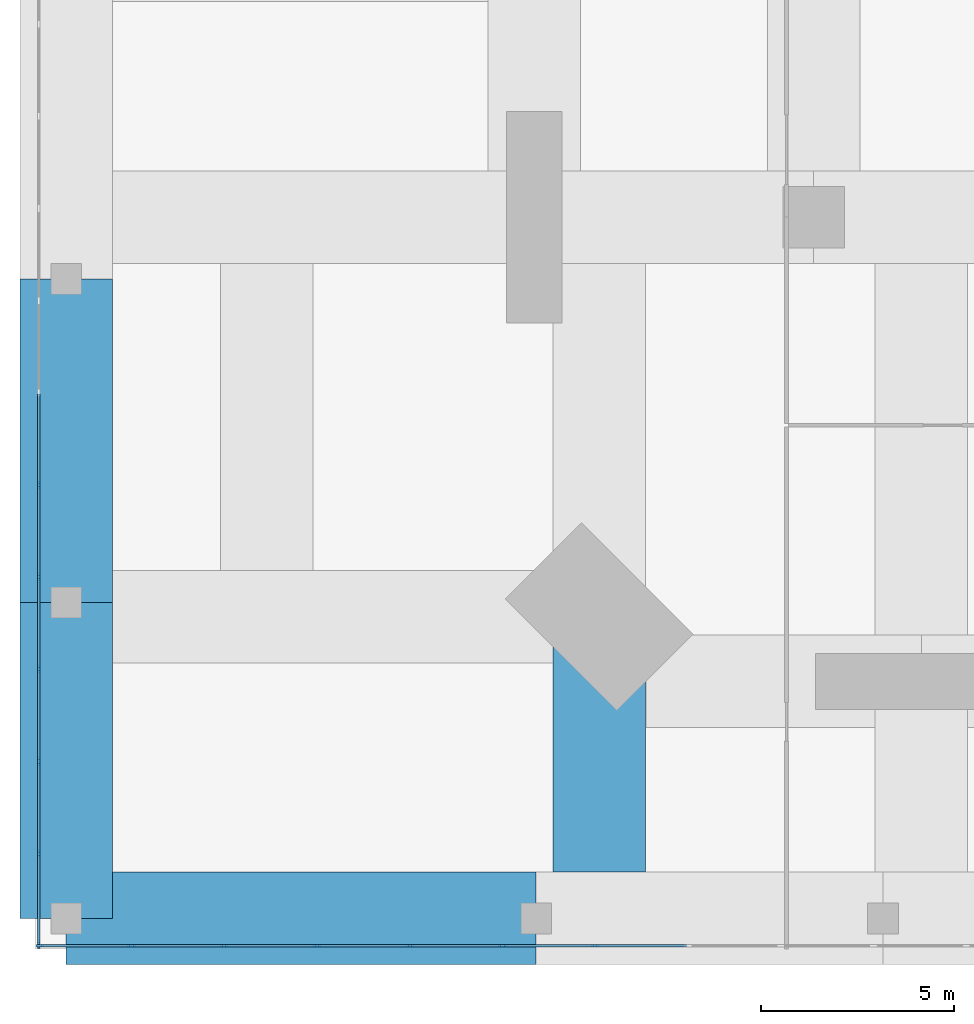
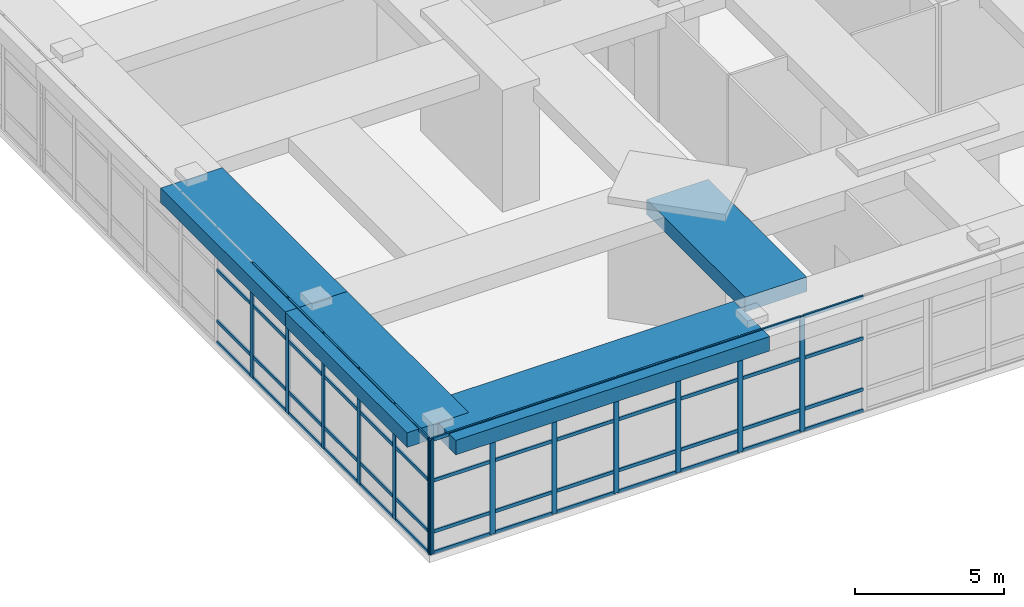
# One storey, part 2 of 22: 64 members, 4 beams, 2 elements without a shape of their own.
"""IFC4 building model written with IfcOpenShell, lengths in metres."""

from ifc_helpers import new_model, si_unit, direction, frame, origin, origin_2d, place, context, subcontext, project, spatial, rectangle, extrude, material, material_profile, profile_set, type_object, element, aggregate, save


model = new_model("IFC4")

# Units and contexts
model_context = context("Model", 3, precision=1e-05, world=origin(), true_north=direction((0.0, 1.0)))
body_context = subcontext(model_context, "Body", "Model", "MODEL_VIEW")
ifc_project = project(units=[si_unit("LENGTHUNIT", "METRE"), si_unit("AREAUNIT", "SQUARE_METRE"), si_unit("VOLUMEUNIT", "CUBIC_METRE"), si_unit("PLANEANGLEUNIT", "RADIAN"), si_unit("MASSUNIT", "GRAM", prefix="KILO")], contexts=[model_context])

# Site, building, storey
site_placement = place(None, origin())
site = spatial("IfcSite", under=ifc_project, at=site_placement, CompositionType="ELEMENT")
building_placement = place(site_placement, origin())
building = spatial("IfcBuilding", under=site, at=building_placement, Name="Jalousie Tower", CompositionType="ELEMENT")
storey_placement = place(building_placement, frame((0.0, 0.0, 6.0)))
storey = spatial("IfcBuildingStorey", under=building, at=storey_placement, Name="L01", CompositionType="ELEMENT", Elevation=6.0)

# Curtain wall, members
ifc_material_1 = material(Name="Aluminium curtain wall", Category="aluminium")
curtain_wall_type = type_object("IfcCurtainWallType", Name="PODIUM WINDOW WALL", PredefinedType="USERDEFINED", material=ifc_material_1)
curtain_wall_1_placement = place(storey_placement, origin())
curtain_wall_1 = element("IfcCurtainWall", 1, at=curtain_wall_1_placement, inside=storey, type_object=curtain_wall_type, Name="Podium Window Wall L01 1", ObjectType="PODIUM WINDOW WALL", PredefinedType="USERDEFINED")
ifc_material_2 = material(Name="Aluminium mullion", Category="aluminium")
ifc_material_profile_1 = material_profile(ifc_material_2, rectangle(XDim=0.070068359375, YDim=0.199951171875, at=origin_2d()), Name="MULLION 70x200")
ifc_profile_set_1 = profile_set([ifc_material_profile_1], Name="Aluminium mullion")
member_type_1 = type_object("IfcMemberType", Name="PODIUM WINDOW WALL MULLION", PredefinedType="MULLION", material=ifc_profile_set_1)
member_1_placement = place(storey_placement, frame((-9.87744140625, -5.91259765625, 0.0), z_axis=(0.0, 0.0, 1.0), x_axis=(0.0, 1.0, 0.0)))
member_1 = element("IfcMember", 2, at=member_1_placement, type_object=member_type_1, Name="CW-P mullion 1", PredefinedType="MULLION", context=body_context, shape_type="SweptSolid", body=[
    extrude(rectangle(XDim=0.070068359375, YDim=0.199951171875, at=origin_2d()), origin(), (0.0, 0.0, 1.0), 4.719970703125),
])
member_2_placement = place(storey_placement, frame((-7.504638671875, -5.91259765625, 0.0), z_axis=(0.0, 0.0, 1.0), x_axis=(0.0, 1.0, 0.0)))
member_2 = element("IfcMember", 3, at=member_2_placement, type_object=member_type_1, Name="CW-P mullion 2", PredefinedType="MULLION", context=body_context, shape_type="SweptSolid", body=[
    extrude(rectangle(XDim=0.070068359375, YDim=0.199951171875, at=origin_2d()), origin(), (0.0, 0.0, 1.0), 4.719970703125),
])
member_3_placement = place(storey_placement, frame((-5.096923828125, -5.91259765625, 0.0), z_axis=(0.0, 0.0, 1.0), x_axis=(0.0, 1.0, 0.0)))
member_3 = element("IfcMember", 4, at=member_3_placement, type_object=member_type_1, Name="CW-P mullion 3", PredefinedType="MULLION", context=body_context, shape_type="SweptSolid", body=[
    extrude(rectangle(XDim=0.070068359375, YDim=0.199951171875, at=origin_2d()), origin(), (0.0, 0.0, 1.0), 4.719970703125),
])
member_4_placement = place(storey_placement, frame((-2.689208984375, -5.91259765625, 0.0), z_axis=(0.0, 0.0, 1.0), x_axis=(0.0, 1.0, 0.0)))
member_4 = element("IfcMember", 5, at=member_4_placement, type_object=member_type_1, Name="CW-P mullion 4", PredefinedType="MULLION", context=body_context, shape_type="SweptSolid", body=[
    extrude(rectangle(XDim=0.070068359375, YDim=0.199951171875, at=origin_2d()), origin(), (0.0, 0.0, 1.0), 4.719970703125),
])
member_5_placement = place(storey_placement, frame((-0.281494140625, -5.91259765625, 0.0), z_axis=(0.0, 0.0, 1.0), x_axis=(0.0, 1.0, 0.0)))
member_5 = element("IfcMember", 6, at=member_5_placement, type_object=member_type_1, Name="CW-P mullion 5", PredefinedType="MULLION", context=body_context, shape_type="SweptSolid", body=[
    extrude(rectangle(XDim=0.070068359375, YDim=0.199951171875, at=origin_2d()), origin(), (0.0, 0.0, 1.0), 4.719970703125),
])
member_6_placement = place(storey_placement, frame((2.126220703125, -5.91259765625, 0.0), z_axis=(0.0, 0.0, 1.0), x_axis=(0.0, 1.0, 0.0)))
member_6 = element("IfcMember", 7, at=member_6_placement, type_object=member_type_1, Name="CW-P mullion 6", PredefinedType="MULLION", context=body_context, shape_type="SweptSolid", body=[
    extrude(rectangle(XDim=0.070068359375, YDim=0.199951171875, at=origin_2d()), origin(), (0.0, 0.0, 1.0), 4.719970703125),
])
member_7_placement = place(storey_placement, frame((4.533935546875, -5.91259765625, 0.0), z_axis=(0.0, 0.0, 1.0), x_axis=(0.0, 1.0, 0.0)))
member_7 = element("IfcMember", 8, at=member_7_placement, type_object=member_type_1, Name="CW-P mullion 7", PredefinedType="MULLION", context=body_context, shape_type="SweptSolid", body=[
    extrude(rectangle(XDim=0.070068359375, YDim=0.199951171875, at=origin_2d()), origin(), (0.0, 0.0, 1.0), 4.719970703125),
])

curtain_wall_2_placement = place(storey_placement, origin())
curtain_wall_2 = element("IfcCurtainWall", 9, at=curtain_wall_2_placement, inside=storey, type_object=curtain_wall_type, Name="Podium Window Wall L01 33", ObjectType="PODIUM WINDOW WALL", PredefinedType="USERDEFINED")
member_8_placement = place(storey_placement, frame((-9.91259765625, 6.04931640625, 0.0), z_axis=(0.0, 0.0, 1.0), x_axis=(1.0, 0.0, 0.0)))
member_8 = element("IfcMember", 10, at=member_8_placement, type_object=member_type_1, Name="CW-P mullion 14", PredefinedType="MULLION", context=body_context, shape_type="SweptSolid", body=[
    extrude(rectangle(XDim=0.070068359375, YDim=0.199951171875, at=origin_2d()), origin(), (0.0, 0.0, 1.0), 4.719970703125),
])
member_9_placement = place(storey_placement, frame((-9.91259765625, 3.656982421875, 0.0), z_axis=(0.0, 0.0, 1.0), x_axis=(1.0, 0.0, 0.0)))
member_9 = element("IfcMember", 11, at=member_9_placement, type_object=member_type_1, Name="CW-P mullion 15", PredefinedType="MULLION", context=body_context, shape_type="SweptSolid", body=[
    extrude(rectangle(XDim=0.070068359375, YDim=0.199951171875, at=origin_2d()), origin(), (0.0, 0.0, 1.0), 4.719970703125),
])
member_10_placement = place(storey_placement, frame((-9.91259765625, 1.2646484375, 0.0), z_axis=(0.0, 0.0, 1.0), x_axis=(1.0, 0.0, 0.0)))
member_10 = element("IfcMember", 12, at=member_10_placement, type_object=member_type_1, Name="CW-P mullion 16", PredefinedType="MULLION", context=body_context, shape_type="SweptSolid", body=[
    extrude(rectangle(XDim=0.070068359375, YDim=0.199951171875, at=origin_2d()), origin(), (0.0, 0.0, 1.0), 4.719970703125),
])
member_11_placement = place(storey_placement, frame((-9.91259765625, -1.127685546875, 0.0), z_axis=(0.0, 0.0, 1.0), x_axis=(1.0, 0.0, 0.0)))
member_11 = element("IfcMember", 13, at=member_11_placement, type_object=member_type_1, Name="CW-P mullion 17", PredefinedType="MULLION", context=body_context, shape_type="SweptSolid", body=[
    extrude(rectangle(XDim=0.070068359375, YDim=0.199951171875, at=origin_2d()), origin(), (0.0, 0.0, 1.0), 4.719970703125),
])
member_12_placement = place(storey_placement, frame((-9.91259765625, -3.52001953125, 0.0), z_axis=(0.0, 0.0, 1.0), x_axis=(1.0, 0.0, 0.0)))
member_12 = element("IfcMember", 14, at=member_12_placement, type_object=member_type_1, Name="CW-P mullion 18", PredefinedType="MULLION", context=body_context, shape_type="SweptSolid", body=[
    extrude(rectangle(XDim=0.070068359375, YDim=0.199951171875, at=origin_2d()), origin(), (0.0, 0.0, 1.0), 4.719970703125),
])
member_13_placement = place(storey_placement, frame((-9.91259765625, -5.87744140625, 0.0), z_axis=(0.0, 0.0, 1.0), x_axis=(1.0, 0.0, 0.0)))
member_13 = element("IfcMember", 15, at=member_13_placement, type_object=member_type_1, Name="CW-P mullion 19", PredefinedType="MULLION", context=body_context, shape_type="SweptSolid", body=[
    extrude(rectangle(XDim=0.070068359375, YDim=0.199951171875, at=origin_2d()), origin(), (0.0, 0.0, 1.0), 4.719970703125),
])

# Member
ifc_material_3 = material(Name="Aluminium transom", Category="aluminium")
ifc_material_profile_2 = material_profile(ifc_material_3, rectangle(XDim=0.070068359375, YDim=0.139892578125, at=origin_2d()), Name="TRANSOM 70x140")
ifc_profile_set_2 = profile_set([ifc_material_profile_2], Name="Aluminium transom")
member_type_2 = type_object("IfcMemberType", Name="PODIUM WINDOW WALL TRANSOM", PredefinedType="USERDEFINED", material=ifc_profile_set_2)
member_14_placement = place(storey_placement, frame((-9.842529296875, -5.91259765625, 0.034912109375), z_axis=(1.0, 0.0, 0.0), x_axis=(0.0, 1.0, 0.0)))
member_14 = element("IfcMember", 16, at=member_14_placement, type_object=member_type_2, Name="CW-P transom 1.1", ObjectType="TRANSOM", PredefinedType="USERDEFINED", context=body_context, shape_type="SweptSolid", body=[
    extrude(rectangle(XDim=0.070068359375, YDim=0.139892578125, at=origin_2d()), origin(), (0.0, 0.0, 1.0), 2.302734375),
])

member_15_placement = place(storey_placement, frame((-9.842529296875, -5.91259765625, 0.89990234375), z_axis=(1.0, 0.0, 0.0), x_axis=(0.0, 1.0, 0.0)))
member_15 = element("IfcMember", 17, at=member_15_placement, type_object=member_type_2, Name="CW-P transom 1.2", ObjectType="TRANSOM", PredefinedType="USERDEFINED", context=body_context, shape_type="SweptSolid", body=[
    extrude(rectangle(XDim=0.070068359375, YDim=0.139892578125, at=origin_2d()), origin(), (0.0, 0.0, 1.0), 2.302734375),
])

member_16_placement = place(storey_placement, frame((-9.842529296875, -5.91259765625, 3.0), z_axis=(1.0, 0.0, 0.0), x_axis=(0.0, 1.0, 0.0)))
member_16 = element("IfcMember", 18, at=member_16_placement, type_object=member_type_2, Name="CW-P transom 1.3", ObjectType="TRANSOM", PredefinedType="USERDEFINED", context=body_context, shape_type="SweptSolid", body=[
    extrude(rectangle(XDim=0.070068359375, YDim=0.139892578125, at=origin_2d()), origin(), (0.0, 0.0, 1.0), 2.302734375),
])

member_17_placement = place(storey_placement, frame((-9.842529296875, -5.91259765625, 4.68505859375), z_axis=(1.0, 0.0, 0.0), x_axis=(0.0, 1.0, 0.0)))
member_17 = element("IfcMember", 19, at=member_17_placement, type_object=member_type_2, Name="CW-P transom 1.4", ObjectType="TRANSOM", PredefinedType="USERDEFINED", context=body_context, shape_type="SweptSolid", body=[
    extrude(rectangle(XDim=0.070068359375, YDim=0.139892578125, at=origin_2d()), origin(), (0.0, 0.0, 1.0), 2.302734375),
])

member_18_placement = place(storey_placement, frame((-7.4697265625, -5.91259765625, 0.034912109375), z_axis=(1.0, 0.0, 0.0), x_axis=(0.0, 1.0, 0.0)))
member_18 = element("IfcMember", 20, at=member_18_placement, type_object=member_type_2, Name="CW-P transom 2.1", ObjectType="TRANSOM", PredefinedType="USERDEFINED", context=body_context, shape_type="SweptSolid", body=[
    extrude(rectangle(XDim=0.070068359375, YDim=0.139892578125, at=origin_2d()), origin(), (0.0, 0.0, 1.0), 2.337646484375),
])

member_19_placement = place(storey_placement, frame((-7.4697265625, -5.91259765625, 0.89990234375), z_axis=(1.0, 0.0, 0.0), x_axis=(0.0, 1.0, 0.0)))
member_19 = element("IfcMember", 21, at=member_19_placement, type_object=member_type_2, Name="CW-P transom 2.2", ObjectType="TRANSOM", PredefinedType="USERDEFINED", context=body_context, shape_type="SweptSolid", body=[
    extrude(rectangle(XDim=0.070068359375, YDim=0.139892578125, at=origin_2d()), origin(), (0.0, 0.0, 1.0), 2.337646484375),
])

member_20_placement = place(storey_placement, frame((-7.4697265625, -5.91259765625, 3.0), z_axis=(1.0, 0.0, 0.0), x_axis=(0.0, 1.0, 0.0)))
member_20 = element("IfcMember", 22, at=member_20_placement, type_object=member_type_2, Name="CW-P transom 2.3", ObjectType="TRANSOM", PredefinedType="USERDEFINED", context=body_context, shape_type="SweptSolid", body=[
    extrude(rectangle(XDim=0.070068359375, YDim=0.139892578125, at=origin_2d()), origin(), (0.0, 0.0, 1.0), 2.337646484375),
])

member_21_placement = place(storey_placement, frame((-7.4697265625, -5.91259765625, 4.68505859375), z_axis=(1.0, 0.0, 0.0), x_axis=(0.0, 1.0, 0.0)))
member_21 = element("IfcMember", 23, at=member_21_placement, type_object=member_type_2, Name="CW-P transom 2.4", ObjectType="TRANSOM", PredefinedType="USERDEFINED", context=body_context, shape_type="SweptSolid", body=[
    extrude(rectangle(XDim=0.070068359375, YDim=0.139892578125, at=origin_2d()), origin(), (0.0, 0.0, 1.0), 2.337646484375),
])

member_22_placement = place(storey_placement, frame((-5.06201171875, -5.91259765625, 0.034912109375), z_axis=(1.0, 0.0, 0.0), x_axis=(0.0, 1.0, 0.0)))
member_22 = element("IfcMember", 24, at=member_22_placement, type_object=member_type_2, Name="CW-P transom 3.1", ObjectType="TRANSOM", PredefinedType="USERDEFINED", context=body_context, shape_type="SweptSolid", body=[
    extrude(rectangle(XDim=0.070068359375, YDim=0.139892578125, at=origin_2d()), origin(), (0.0, 0.0, 1.0), 2.337890625),
])

member_23_placement = place(storey_placement, frame((-5.06201171875, -5.91259765625, 0.89990234375), z_axis=(1.0, 0.0, 0.0), x_axis=(0.0, 1.0, 0.0)))
member_23 = element("IfcMember", 25, at=member_23_placement, type_object=member_type_2, Name="CW-P transom 3.2", ObjectType="TRANSOM", PredefinedType="USERDEFINED", context=body_context, shape_type="SweptSolid", body=[
    extrude(rectangle(XDim=0.070068359375, YDim=0.139892578125, at=origin_2d()), origin(), (0.0, 0.0, 1.0), 2.337890625),
])

member_24_placement = place(storey_placement, frame((-5.06201171875, -5.91259765625, 3.0), z_axis=(1.0, 0.0, 0.0), x_axis=(0.0, 1.0, 0.0)))
member_24 = element("IfcMember", 26, at=member_24_placement, type_object=member_type_2, Name="CW-P transom 3.3", ObjectType="TRANSOM", PredefinedType="USERDEFINED", context=body_context, shape_type="SweptSolid", body=[
    extrude(rectangle(XDim=0.070068359375, YDim=0.139892578125, at=origin_2d()), origin(), (0.0, 0.0, 1.0), 2.337890625),
])

member_25_placement = place(storey_placement, frame((-5.06201171875, -5.91259765625, 4.68505859375), z_axis=(1.0, 0.0, 0.0), x_axis=(0.0, 1.0, 0.0)))
member_25 = element("IfcMember", 27, at=member_25_placement, type_object=member_type_2, Name="CW-P transom 3.4", ObjectType="TRANSOM", PredefinedType="USERDEFINED", context=body_context, shape_type="SweptSolid", body=[
    extrude(rectangle(XDim=0.070068359375, YDim=0.139892578125, at=origin_2d()), origin(), (0.0, 0.0, 1.0), 2.337890625),
])

member_26_placement = place(storey_placement, frame((-2.654296875, -5.91259765625, 0.034912109375), z_axis=(1.0, 0.0, 0.0), x_axis=(0.0, 1.0, 0.0)))
member_26 = element("IfcMember", 28, at=member_26_placement, type_object=member_type_2, Name="CW-P transom 4.1", ObjectType="TRANSOM", PredefinedType="USERDEFINED", context=body_context, shape_type="SweptSolid", body=[
    extrude(rectangle(XDim=0.070068359375, YDim=0.139892578125, at=origin_2d()), origin(), (0.0, 0.0, 1.0), 2.337890625),
])

member_27_placement = place(storey_placement, frame((-2.654296875, -5.91259765625, 0.89990234375), z_axis=(1.0, 0.0, 0.0), x_axis=(0.0, 1.0, 0.0)))
member_27 = element("IfcMember", 29, at=member_27_placement, type_object=member_type_2, Name="CW-P transom 4.2", ObjectType="TRANSOM", PredefinedType="USERDEFINED", context=body_context, shape_type="SweptSolid", body=[
    extrude(rectangle(XDim=0.070068359375, YDim=0.139892578125, at=origin_2d()), origin(), (0.0, 0.0, 1.0), 2.337890625),
])

member_28_placement = place(storey_placement, frame((-2.654296875, -5.91259765625, 3.0), z_axis=(1.0, 0.0, 0.0), x_axis=(0.0, 1.0, 0.0)))
member_28 = element("IfcMember", 30, at=member_28_placement, type_object=member_type_2, Name="CW-P transom 4.3", ObjectType="TRANSOM", PredefinedType="USERDEFINED", context=body_context, shape_type="SweptSolid", body=[
    extrude(rectangle(XDim=0.070068359375, YDim=0.139892578125, at=origin_2d()), origin(), (0.0, 0.0, 1.0), 2.337890625),
])

member_29_placement = place(storey_placement, frame((-2.654296875, -5.91259765625, 4.68505859375), z_axis=(1.0, 0.0, 0.0), x_axis=(0.0, 1.0, 0.0)))
member_29 = element("IfcMember", 31, at=member_29_placement, type_object=member_type_2, Name="CW-P transom 4.4", ObjectType="TRANSOM", PredefinedType="USERDEFINED", context=body_context, shape_type="SweptSolid", body=[
    extrude(rectangle(XDim=0.070068359375, YDim=0.139892578125, at=origin_2d()), origin(), (0.0, 0.0, 1.0), 2.337890625),
])

member_30_placement = place(storey_placement, frame((-0.24658203125, -5.91259765625, 0.034912109375), z_axis=(1.0, 0.0, 0.0), x_axis=(0.0, 1.0, 0.0)))
member_30 = element("IfcMember", 32, at=member_30_placement, type_object=member_type_2, Name="CW-P transom 5.1", ObjectType="TRANSOM", PredefinedType="USERDEFINED", context=body_context, shape_type="SweptSolid", body=[
    extrude(rectangle(XDim=0.070068359375, YDim=0.139892578125, at=origin_2d()), origin(), (0.0, 0.0, 1.0), 2.337890625),
])

member_31_placement = place(storey_placement, frame((-0.24658203125, -5.91259765625, 0.89990234375), z_axis=(1.0, 0.0, 0.0), x_axis=(0.0, 1.0, 0.0)))
member_31 = element("IfcMember", 33, at=member_31_placement, type_object=member_type_2, Name="CW-P transom 5.2", ObjectType="TRANSOM", PredefinedType="USERDEFINED", context=body_context, shape_type="SweptSolid", body=[
    extrude(rectangle(XDim=0.070068359375, YDim=0.139892578125, at=origin_2d()), origin(), (0.0, 0.0, 1.0), 2.337890625),
])

member_32_placement = place(storey_placement, frame((-0.24658203125, -5.91259765625, 3.0), z_axis=(1.0, 0.0, 0.0), x_axis=(0.0, 1.0, 0.0)))
member_32 = element("IfcMember", 34, at=member_32_placement, type_object=member_type_2, Name="CW-P transom 5.3", ObjectType="TRANSOM", PredefinedType="USERDEFINED", context=body_context, shape_type="SweptSolid", body=[
    extrude(rectangle(XDim=0.070068359375, YDim=0.139892578125, at=origin_2d()), origin(), (0.0, 0.0, 1.0), 2.337890625),
])

member_33_placement = place(storey_placement, frame((-0.24658203125, -5.91259765625, 4.68505859375), z_axis=(1.0, 0.0, 0.0), x_axis=(0.0, 1.0, 0.0)))
member_33 = element("IfcMember", 35, at=member_33_placement, type_object=member_type_2, Name="CW-P transom 5.4", ObjectType="TRANSOM", PredefinedType="USERDEFINED", context=body_context, shape_type="SweptSolid", body=[
    extrude(rectangle(XDim=0.070068359375, YDim=0.139892578125, at=origin_2d()), origin(), (0.0, 0.0, 1.0), 2.337890625),
])

member_34_placement = place(storey_placement, frame((2.161376953125, -5.91259765625, 0.034912109375), z_axis=(1.0, 0.0, 0.0), x_axis=(0.0, 1.0, 0.0)))
member_34 = element("IfcMember", 36, at=member_34_placement, type_object=member_type_2, Name="CW-P transom 6.1", ObjectType="TRANSOM", PredefinedType="USERDEFINED", context=body_context, shape_type="SweptSolid", body=[
    extrude(rectangle(XDim=0.070068359375, YDim=0.139892578125, at=origin_2d()), origin(), (0.0, 0.0, 1.0), 2.337646484375),
])

member_35_placement = place(storey_placement, frame((2.161376953125, -5.91259765625, 0.89990234375), z_axis=(1.0, 0.0, 0.0), x_axis=(0.0, 1.0, 0.0)))
member_35 = element("IfcMember", 37, at=member_35_placement, type_object=member_type_2, Name="CW-P transom 6.2", ObjectType="TRANSOM", PredefinedType="USERDEFINED", context=body_context, shape_type="SweptSolid", body=[
    extrude(rectangle(XDim=0.070068359375, YDim=0.139892578125, at=origin_2d()), origin(), (0.0, 0.0, 1.0), 2.337646484375),
])

member_36_placement = place(storey_placement, frame((2.161376953125, -5.91259765625, 3.0), z_axis=(1.0, 0.0, 0.0), x_axis=(0.0, 1.0, 0.0)))
member_36 = element("IfcMember", 38, at=member_36_placement, type_object=member_type_2, Name="CW-P transom 6.3", ObjectType="TRANSOM", PredefinedType="USERDEFINED", context=body_context, shape_type="SweptSolid", body=[
    extrude(rectangle(XDim=0.070068359375, YDim=0.139892578125, at=origin_2d()), origin(), (0.0, 0.0, 1.0), 2.337646484375),
])

member_37_placement = place(storey_placement, frame((2.161376953125, -5.91259765625, 4.68505859375), z_axis=(1.0, 0.0, 0.0), x_axis=(0.0, 1.0, 0.0)))
member_37 = element("IfcMember", 39, at=member_37_placement, type_object=member_type_2, Name="CW-P transom 6.4", ObjectType="TRANSOM", PredefinedType="USERDEFINED", context=body_context, shape_type="SweptSolid", body=[
    extrude(rectangle(XDim=0.070068359375, YDim=0.139892578125, at=origin_2d()), origin(), (0.0, 0.0, 1.0), 2.337646484375),
])

member_38_placement = place(storey_placement, frame((4.569091796875, -5.91259765625, 0.034912109375), z_axis=(1.0, 0.0, 0.0), x_axis=(0.0, 1.0, 0.0)))
member_38 = element("IfcMember", 40, at=member_38_placement, type_object=member_type_2, Name="CW-P transom 7.1", ObjectType="TRANSOM", PredefinedType="USERDEFINED", context=body_context, shape_type="SweptSolid", body=[
    extrude(rectangle(XDim=0.070068359375, YDim=0.139892578125, at=origin_2d()), origin(), (0.0, 0.0, 1.0), 2.337646484375),
])

member_39_placement = place(storey_placement, frame((4.569091796875, -5.91259765625, 0.89990234375), z_axis=(1.0, 0.0, 0.0), x_axis=(0.0, 1.0, 0.0)))
member_39 = element("IfcMember", 41, at=member_39_placement, type_object=member_type_2, Name="CW-P transom 7.2", ObjectType="TRANSOM", PredefinedType="USERDEFINED", context=body_context, shape_type="SweptSolid", body=[
    extrude(rectangle(XDim=0.070068359375, YDim=0.139892578125, at=origin_2d()), origin(), (0.0, 0.0, 1.0), 2.337646484375),
])

member_40_placement = place(storey_placement, frame((4.569091796875, -5.91259765625, 3.0), z_axis=(1.0, 0.0, 0.0), x_axis=(0.0, 1.0, 0.0)))
member_40 = element("IfcMember", 42, at=member_40_placement, type_object=member_type_2, Name="CW-P transom 7.3", ObjectType="TRANSOM", PredefinedType="USERDEFINED", context=body_context, shape_type="SweptSolid", body=[
    extrude(rectangle(XDim=0.070068359375, YDim=0.139892578125, at=origin_2d()), origin(), (0.0, 0.0, 1.0), 2.337646484375),
])

member_41_placement = place(storey_placement, frame((4.569091796875, -5.91259765625, 4.68505859375), z_axis=(1.0, 0.0, 0.0), x_axis=(0.0, 1.0, 0.0)))
member_41 = element("IfcMember", 43, at=member_41_placement, type_object=member_type_2, Name="CW-P transom 7.4", ObjectType="TRANSOM", PredefinedType="USERDEFINED", context=body_context, shape_type="SweptSolid", body=[
    extrude(rectangle(XDim=0.070068359375, YDim=0.139892578125, at=origin_2d()), origin(), (0.0, 0.0, 1.0), 2.337646484375),
])

aggregate(curtain_wall_1, [member_1, member_2, member_3, member_4, member_5, member_6, member_7, member_14, member_15, member_16, member_17, member_18, member_19, member_20, member_21, member_22, member_23, member_24, member_25, member_26, member_27, member_28, member_29, member_30, member_31, member_32, member_33, member_34, member_35, member_36, member_37, member_38, member_39, member_40, member_41])

member_42_placement = place(storey_placement, frame((-9.91259765625, 8.40673828125, 0.034912109375), z_axis=(0.0, -1.0, 0.0), x_axis=(1.0, 0.0, 0.0)))
member_42 = element("IfcMember", 44, at=member_42_placement, type_object=member_type_2, Name="CW-P transom 13.1", ObjectType="TRANSOM", PredefinedType="USERDEFINED", context=body_context, shape_type="SweptSolid", body=[
    extrude(rectangle(XDim=0.070068359375, YDim=0.139892578125, at=origin_2d()), origin(), (0.0, 0.0, 1.0), 2.322509765625),
])

member_43_placement = place(storey_placement, frame((-9.91259765625, 8.40673828125, 0.89990234375), z_axis=(0.0, -1.0, 0.0), x_axis=(1.0, 0.0, 0.0)))
member_43 = element("IfcMember", 45, at=member_43_placement, type_object=member_type_2, Name="CW-P transom 13.2", ObjectType="TRANSOM", PredefinedType="USERDEFINED", context=body_context, shape_type="SweptSolid", body=[
    extrude(rectangle(XDim=0.070068359375, YDim=0.139892578125, at=origin_2d()), origin(), (0.0, 0.0, 1.0), 2.322509765625),
])

member_44_placement = place(storey_placement, frame((-9.91259765625, 8.40673828125, 3.0), z_axis=(0.0, -1.0, 0.0), x_axis=(1.0, 0.0, 0.0)))
member_44 = element("IfcMember", 46, at=member_44_placement, type_object=member_type_2, Name="CW-P transom 13.3", ObjectType="TRANSOM", PredefinedType="USERDEFINED", context=body_context, shape_type="SweptSolid", body=[
    extrude(rectangle(XDim=0.070068359375, YDim=0.139892578125, at=origin_2d()), origin(), (0.0, 0.0, 1.0), 2.322509765625),
])

member_45_placement = place(storey_placement, frame((-9.91259765625, 6.014404296875, 0.034912109375), z_axis=(0.0, -1.0, 0.0), x_axis=(1.0, 0.0, 0.0)))
member_45 = element("IfcMember", 47, at=member_45_placement, type_object=member_type_2, Name="CW-P transom 14.1", ObjectType="TRANSOM", PredefinedType="USERDEFINED", context=body_context, shape_type="SweptSolid", body=[
    extrude(rectangle(XDim=0.070068359375, YDim=0.139892578125, at=origin_2d()), origin(), (0.0, 0.0, 1.0), 2.322509765625),
])

member_46_placement = place(storey_placement, frame((-9.91259765625, 6.014404296875, 0.89990234375), z_axis=(0.0, -1.0, 0.0), x_axis=(1.0, 0.0, 0.0)))
member_46 = element("IfcMember", 48, at=member_46_placement, type_object=member_type_2, Name="CW-P transom 14.2", ObjectType="TRANSOM", PredefinedType="USERDEFINED", context=body_context, shape_type="SweptSolid", body=[
    extrude(rectangle(XDim=0.070068359375, YDim=0.139892578125, at=origin_2d()), origin(), (0.0, 0.0, 1.0), 2.322509765625),
])

member_47_placement = place(storey_placement, frame((-9.91259765625, 6.014404296875, 3.0), z_axis=(0.0, -1.0, 0.0), x_axis=(1.0, 0.0, 0.0)))
member_47 = element("IfcMember", 49, at=member_47_placement, type_object=member_type_2, Name="CW-P transom 14.3", ObjectType="TRANSOM", PredefinedType="USERDEFINED", context=body_context, shape_type="SweptSolid", body=[
    extrude(rectangle(XDim=0.070068359375, YDim=0.139892578125, at=origin_2d()), origin(), (0.0, 0.0, 1.0), 2.322509765625),
])

member_48_placement = place(storey_placement, frame((-9.91259765625, 6.014404296875, 4.68505859375), z_axis=(0.0, -1.0, 0.0), x_axis=(1.0, 0.0, 0.0)))
member_48 = element("IfcMember", 50, at=member_48_placement, type_object=member_type_2, Name="CW-P transom 14.4", ObjectType="TRANSOM", PredefinedType="USERDEFINED", context=body_context, shape_type="SweptSolid", body=[
    extrude(rectangle(XDim=0.070068359375, YDim=0.139892578125, at=origin_2d()), origin(), (0.0, 0.0, 1.0), 2.322509765625),
])

member_49_placement = place(storey_placement, frame((-9.91259765625, 3.621826171875, 0.034912109375), z_axis=(0.0, -1.0, 0.0), x_axis=(1.0, 0.0, 0.0)))
member_49 = element("IfcMember", 51, at=member_49_placement, type_object=member_type_2, Name="CW-P transom 15.1", ObjectType="TRANSOM", PredefinedType="USERDEFINED", context=body_context, shape_type="SweptSolid", body=[
    extrude(rectangle(XDim=0.070068359375, YDim=0.139892578125, at=origin_2d()), origin(), (0.0, 0.0, 1.0), 2.322265625),
])

member_50_placement = place(storey_placement, frame((-9.91259765625, 3.621826171875, 0.89990234375), z_axis=(0.0, -1.0, 0.0), x_axis=(1.0, 0.0, 0.0)))
member_50 = element("IfcMember", 52, at=member_50_placement, type_object=member_type_2, Name="CW-P transom 15.2", ObjectType="TRANSOM", PredefinedType="USERDEFINED", context=body_context, shape_type="SweptSolid", body=[
    extrude(rectangle(XDim=0.070068359375, YDim=0.139892578125, at=origin_2d()), origin(), (0.0, 0.0, 1.0), 2.322265625),
])

member_51_placement = place(storey_placement, frame((-9.91259765625, 3.621826171875, 3.0), z_axis=(0.0, -1.0, 0.0), x_axis=(1.0, 0.0, 0.0)))
member_51 = element("IfcMember", 53, at=member_51_placement, type_object=member_type_2, Name="CW-P transom 15.3", ObjectType="TRANSOM", PredefinedType="USERDEFINED", context=body_context, shape_type="SweptSolid", body=[
    extrude(rectangle(XDim=0.070068359375, YDim=0.139892578125, at=origin_2d()), origin(), (0.0, 0.0, 1.0), 2.322265625),
])

member_52_placement = place(storey_placement, frame((-9.91259765625, 3.621826171875, 4.68505859375), z_axis=(0.0, -1.0, 0.0), x_axis=(1.0, 0.0, 0.0)))
member_52 = element("IfcMember", 54, at=member_52_placement, type_object=member_type_2, Name="CW-P transom 15.4", ObjectType="TRANSOM", PredefinedType="USERDEFINED", context=body_context, shape_type="SweptSolid", body=[
    extrude(rectangle(XDim=0.070068359375, YDim=0.139892578125, at=origin_2d()), origin(), (0.0, 0.0, 1.0), 2.322265625),
])

member_53_placement = place(storey_placement, frame((-9.91259765625, 1.2294921875, 0.034912109375), z_axis=(0.0, -1.0, 0.0), x_axis=(1.0, 0.0, 0.0)))
member_53 = element("IfcMember", 55, at=member_53_placement, type_object=member_type_2, Name="CW-P transom 16.1", ObjectType="TRANSOM", PredefinedType="USERDEFINED", context=body_context, shape_type="SweptSolid", body=[
    extrude(rectangle(XDim=0.070068359375, YDim=0.139892578125, at=origin_2d()), origin(), (0.0, 0.0, 1.0), 2.322265625),
])

member_54_placement = place(storey_placement, frame((-9.91259765625, 1.2294921875, 0.89990234375), z_axis=(0.0, -1.0, 0.0), x_axis=(1.0, 0.0, 0.0)))
member_54 = element("IfcMember", 56, at=member_54_placement, type_object=member_type_2, Name="CW-P transom 16.2", ObjectType="TRANSOM", PredefinedType="USERDEFINED", context=body_context, shape_type="SweptSolid", body=[
    extrude(rectangle(XDim=0.070068359375, YDim=0.139892578125, at=origin_2d()), origin(), (0.0, 0.0, 1.0), 2.322265625),
])

member_55_placement = place(storey_placement, frame((-9.91259765625, 1.2294921875, 3.0), z_axis=(0.0, -1.0, 0.0), x_axis=(1.0, 0.0, 0.0)))
member_55 = element("IfcMember", 57, at=member_55_placement, type_object=member_type_2, Name="CW-P transom 16.3", ObjectType="TRANSOM", PredefinedType="USERDEFINED", context=body_context, shape_type="SweptSolid", body=[
    extrude(rectangle(XDim=0.070068359375, YDim=0.139892578125, at=origin_2d()), origin(), (0.0, 0.0, 1.0), 2.322265625),
])

member_56_placement = place(storey_placement, frame((-9.91259765625, 1.2294921875, 4.68505859375), z_axis=(0.0, -1.0, 0.0), x_axis=(1.0, 0.0, 0.0)))
member_56 = element("IfcMember", 58, at=member_56_placement, type_object=member_type_2, Name="CW-P transom 16.4", ObjectType="TRANSOM", PredefinedType="USERDEFINED", context=body_context, shape_type="SweptSolid", body=[
    extrude(rectangle(XDim=0.070068359375, YDim=0.139892578125, at=origin_2d()), origin(), (0.0, 0.0, 1.0), 2.322265625),
])

member_57_placement = place(storey_placement, frame((-9.91259765625, -1.162841796875, 0.034912109375), z_axis=(0.0, -1.0, 0.0), x_axis=(1.0, 0.0, 0.0)))
member_57 = element("IfcMember", 59, at=member_57_placement, type_object=member_type_2, Name="CW-P transom 17.1", ObjectType="TRANSOM", PredefinedType="USERDEFINED", context=body_context, shape_type="SweptSolid", body=[
    extrude(rectangle(XDim=0.070068359375, YDim=0.139892578125, at=origin_2d()), origin(), (0.0, 0.0, 1.0), 2.322265625),
])

member_58_placement = place(storey_placement, frame((-9.91259765625, -1.162841796875, 0.89990234375), z_axis=(0.0, -1.0, 0.0), x_axis=(1.0, 0.0, 0.0)))
member_58 = element("IfcMember", 60, at=member_58_placement, type_object=member_type_2, Name="CW-P transom 17.2", ObjectType="TRANSOM", PredefinedType="USERDEFINED", context=body_context, shape_type="SweptSolid", body=[
    extrude(rectangle(XDim=0.070068359375, YDim=0.139892578125, at=origin_2d()), origin(), (0.0, 0.0, 1.0), 2.322265625),
])

member_59_placement = place(storey_placement, frame((-9.91259765625, -1.162841796875, 3.0), z_axis=(0.0, -1.0, 0.0), x_axis=(1.0, 0.0, 0.0)))
member_59 = element("IfcMember", 61, at=member_59_placement, type_object=member_type_2, Name="CW-P transom 17.3", ObjectType="TRANSOM", PredefinedType="USERDEFINED", context=body_context, shape_type="SweptSolid", body=[
    extrude(rectangle(XDim=0.070068359375, YDim=0.139892578125, at=origin_2d()), origin(), (0.0, 0.0, 1.0), 2.322265625),
])

member_60_placement = place(storey_placement, frame((-9.91259765625, -1.162841796875, 4.68505859375), z_axis=(0.0, -1.0, 0.0), x_axis=(1.0, 0.0, 0.0)))
member_60 = element("IfcMember", 62, at=member_60_placement, type_object=member_type_2, Name="CW-P transom 17.4", ObjectType="TRANSOM", PredefinedType="USERDEFINED", context=body_context, shape_type="SweptSolid", body=[
    extrude(rectangle(XDim=0.070068359375, YDim=0.139892578125, at=origin_2d()), origin(), (0.0, 0.0, 1.0), 2.322265625),
])

member_61_placement = place(storey_placement, frame((-9.91259765625, -3.55517578125, 0.034912109375), z_axis=(0.0, -1.0, 0.0), x_axis=(1.0, 0.0, 0.0)))
member_61 = element("IfcMember", 63, at=member_61_placement, type_object=member_type_2, Name="CW-P transom 18.1", ObjectType="TRANSOM", PredefinedType="USERDEFINED", context=body_context, shape_type="SweptSolid", body=[
    extrude(rectangle(XDim=0.070068359375, YDim=0.139892578125, at=origin_2d()), origin(), (0.0, 0.0, 1.0), 2.287353515625),
])

member_62_placement = place(storey_placement, frame((-9.91259765625, -3.55517578125, 0.89990234375), z_axis=(0.0, -1.0, 0.0), x_axis=(1.0, 0.0, 0.0)))
member_62 = element("IfcMember", 64, at=member_62_placement, type_object=member_type_2, Name="CW-P transom 18.2", ObjectType="TRANSOM", PredefinedType="USERDEFINED", context=body_context, shape_type="SweptSolid", body=[
    extrude(rectangle(XDim=0.070068359375, YDim=0.139892578125, at=origin_2d()), origin(), (0.0, 0.0, 1.0), 2.287353515625),
])

member_63_placement = place(storey_placement, frame((-9.91259765625, -3.55517578125, 3.0), z_axis=(0.0, -1.0, 0.0), x_axis=(1.0, 0.0, 0.0)))
member_63 = element("IfcMember", 65, at=member_63_placement, type_object=member_type_2, Name="CW-P transom 18.3", ObjectType="TRANSOM", PredefinedType="USERDEFINED", context=body_context, shape_type="SweptSolid", body=[
    extrude(rectangle(XDim=0.070068359375, YDim=0.139892578125, at=origin_2d()), origin(), (0.0, 0.0, 1.0), 2.287353515625),
])

member_64_placement = place(storey_placement, frame((-9.91259765625, -3.55517578125, 4.68505859375), z_axis=(0.0, -1.0, 0.0), x_axis=(1.0, 0.0, 0.0)))
member_64 = element("IfcMember", 66, at=member_64_placement, type_object=member_type_2, Name="CW-P transom 18.4", ObjectType="TRANSOM", PredefinedType="USERDEFINED", context=body_context, shape_type="SweptSolid", body=[
    extrude(rectangle(XDim=0.070068359375, YDim=0.139892578125, at=origin_2d()), origin(), (0.0, 0.0, 1.0), 2.287353515625),
])

aggregate(curtain_wall_2, [member_8, member_9, member_10, member_11, member_12, member_13, member_42, member_43, member_44, member_45, member_46, member_47, member_48, member_49, member_50, member_51, member_52, member_53, member_54, member_55, member_56, member_57, member_58, member_59, member_60, member_61, member_62, member_63, member_64])

# Beams
ifc_material_4 = material(Name="Concrete f'c 40 MPa", Category="concrete")
ifc_material_profile_3 = material_profile(ifc_material_4, rectangle(XDim=2.39990234375, YDim=0.60009765625, at=origin_2d()), Name="RC 2400x600")
ifc_profile_set_3 = profile_set([ifc_material_profile_3], Name="Concrete f'c 40 MPa")
beam_type = type_object("IfcBeamType", Name="RC BEAM 2400x600", PredefinedType="BEAM", material=ifc_profile_set_3)
beam_1_placement = place(storey_placement, frame((-9.199951171875, -5.199951171875, 4.419921875), z_axis=(1.0, 0.0, 0.0), x_axis=(0.0, 1.0, 0.0)))
element("IfcBeam", 67, at=beam_1_placement, inside=storey, type_object=beam_type, Name="Floor band beam under L02", PredefinedType="BEAM", context=body_context, shape_type="SweptSolid", body=[
    extrude(rectangle(XDim=2.39990234375, YDim=0.60009765625, at=origin_2d()), origin(), (0.0, 0.0, 1.0), 12.199951171875),
])
beam_2_placement = place(storey_placement, frame((-9.199951171875, -5.199951171875, 4.419921875), z_axis=(0.0, 1.0, 0.0), x_axis=(-1.0, 0.0, 0.0)))
element("IfcBeam", 68, at=beam_2_placement, inside=storey, type_object=beam_type, Name="Floor band beam under L02", PredefinedType="BEAM", context=body_context, shape_type="SweptSolid", body=[
    extrude(rectangle(XDim=2.39990234375, YDim=0.60009765625, at=origin_2d()), origin(), (0.0, 0.0, 1.0), 8.199951171875),
])
beam_3_placement = place(storey_placement, frame((-9.199951171875, 3.0, 4.419921875), z_axis=(0.0, 1.0, 0.0), x_axis=(-1.0, 0.0, 0.0)))
element("IfcBeam", 69, at=beam_3_placement, inside=storey, type_object=beam_type, Name="Floor band beam under L02", PredefinedType="BEAM", context=body_context, shape_type="SweptSolid", body=[
    extrude(rectangle(XDim=2.39990234375, YDim=0.60009765625, at=origin_2d()), origin(), (0.0, 0.0, 1.0), 8.39990234375),
])
beam_4_placement = place(storey_placement, frame((4.63134765625, 2.63134765625, 4.419921875), z_axis=(0.0, -1.0, 0.0), x_axis=(1.0, 0.0, 0.0)))
element("IfcBeam", 70, at=beam_4_placement, inside=storey, type_object=beam_type, Name="Floor band beam under L02", PredefinedType="BEAM", context=body_context, shape_type="SweptSolid", body=[
    extrude(rectangle(XDim=2.39990234375, YDim=0.60009765625, at=origin_2d()), origin(), (0.0, 0.0, 1.0), 6.63134765625),
])

save(model, "model.ifc")
